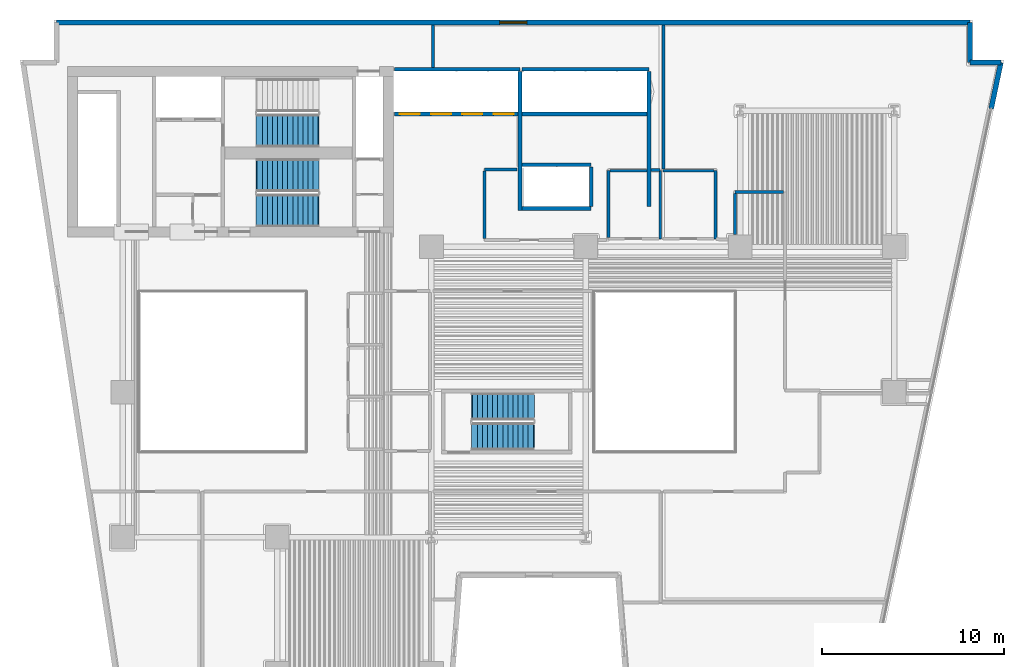
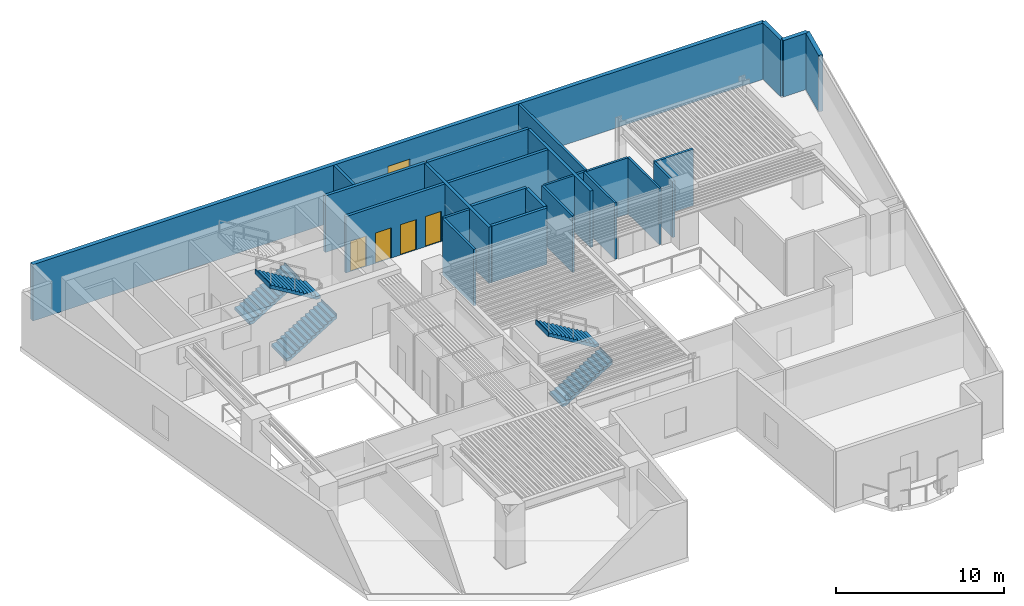
# One storey, part 6 of 11: 25 walls, 5 stair flights, 4 doors, 1 window, 5 openings, 3 elements without a shape of their own.
"""IFC4 building model written with IfcOpenShell, lengths in metres."""

from ifc_helpers import new_model, si_unit, direction, frame, frame_2d, origin, place, context, subcontext, project, spatial, polyline, rectangle, outline, extrude, material, layer, layer_set, type_object, element, fill, aggregate, save


model = new_model("IFC4")

# Units and contexts
model_context = context("Model", 3, precision=1e-05, world=origin(), true_north=direction((0.0, 1.0)))
body_context = subcontext(model_context, "Body", "Model", "MODEL_VIEW")
ifc_project = project(units=[si_unit("LENGTHUNIT", "METRE"), si_unit("AREAUNIT", "SQUARE_METRE"), si_unit("VOLUMEUNIT", "CUBIC_METRE"), si_unit("PLANEANGLEUNIT", "RADIAN"), si_unit("MASSUNIT", "GRAM", prefix="KILO")], contexts=[model_context])

# Site, building, storey
site_placement = place(None, origin())
site = spatial("IfcSite", under=ifc_project, at=site_placement, CompositionType="ELEMENT")
building_placement = place(site_placement, origin())
building = spatial("IfcBuilding", under=site, at=building_placement, Name="Caeloran Harvest Quay", CompositionType="ELEMENT")
storey_placement = place(building_placement, frame((0.0, 0.0, 44.60009765625)))
storey = spatial("IfcBuildingStorey", under=building, at=storey_placement, Name="L10", CompositionType="ELEMENT", Elevation=44.60009765625)

# Wall, opening, window
ifc_material_1 = material(Name="Precast concrete C50/60", Category="concrete")
ifc_layer_1 = layer(ifc_material_1, 0.280029296875, Name="Precast concrete C50/60")
ifc_layer_set_1 = layer_set([ifc_layer_1], Name="Precast concrete C50/60")
wall_type_1 = type_object("IfcWallType", Name="ENV-WALL-EW-280", PredefinedType="STANDARD", material=ifc_layer_set_1)
wall_1_placement = place(storey_placement, frame((4.840087890625, 43.360107421875, 0.0), z_axis=(0.0, 0.0, 1.0), x_axis=(1.0, 0.0, 0.0)))
wall_1 = element("IfcWall", 1, at=wall_1_placement, inside=storey, type_object=wall_type_1, Name="L10 Exterior Precast Concrete Facade Wall 6", PredefinedType="STANDARD", context=body_context, shape_type="SweptSolid", body=[
    extrude(rectangle(XDim=50.31982421875, YDim=0.280029296875, at=frame_2d((25.159912109375, 0.0))), origin(), (0.0, 0.0, 1.0), 4.099853515625),
])
opening_1_placement = place(wall_1_placement, frame((24.409912109375, 0.0, 0.89990234375)))
opening_1 = element("IfcOpeningElement", 2, at=opening_1_placement, cuts=wall_1, Name="Opening W-03", PredefinedType="OPENING", context=body_context, shape_type="SweptSolid", body=[
    extrude(rectangle(XDim=1.5, YDim=1.800048828125, at=frame_2d((0.75, 0.89990234375))), frame((0.0, 0.14990234375, 0.0), z_axis=(0.0, -1.0, 0.0), x_axis=(1.0, 0.0, 0.0)), (0.0, 0.0, 1.0), 0.300048828125),
])
ifc_material_2 = material(Name="Aluminium-Framed Low-E Laminated Glass", Category="aluminium")
window_type = type_object("IfcWindowType", Name="WIN-W-03", PartitioningType="SINGLE_PANEL", PredefinedType="WINDOW", material=ifc_material_2)
window_placement = place(opening_1_placement, origin())
window = element("IfcWindow", 3, at=window_placement, inside=storey, type_object=window_type, Name="L10 Facade Punched Window W-03", OverallHeight=1.800048828125, OverallWidth=1.5, PartitioningType="SINGLE_PANEL", PredefinedType="WINDOW", context=body_context, shape_type="SweptSolid", body=[
    extrude(rectangle(XDim=1.5, YDim=1.800048828125, at=frame_2d((0.75, 0.89990234375))), frame((0.0, 0.030029296875, 0.0), z_axis=(0.0, -1.0, 0.0), x_axis=(1.0, 0.0, 0.0)), (0.0, 0.0, 1.0), 0.06005859375),
])
fill(opening_1, window)

# Walls
wall_2_placement = place(storey_placement, frame((55.159912109375, 43.360107421875, 0.0), z_axis=(0.0, 0.0, 1.0), x_axis=(0.0, -1.0, 0.0)))
element("IfcWall", 4, at=wall_2_placement, inside=storey, type_object=wall_type_1, Name="L10 Exterior Precast Concrete Facade Wall 7", PredefinedType="STANDARD", context=body_context, shape_type="SweptSolid", body=[
    extrude(rectangle(XDim=2.2001953125, YDim=0.280029296875, at=frame_2d((1.10009765625, 0.0))), origin(), (0.0, 0.0, 1.0), 4.099853515625),
])
wall_3_placement = place(storey_placement, frame((55.159912109375, 41.159912109375, 0.0), z_axis=(0.0, 0.0, 1.0), x_axis=(1.0, 0.0, 0.0)))
element("IfcWall", 5, at=wall_3_placement, inside=storey, type_object=wall_type_1, Name="L10 Exterior Precast Concrete Facade Wall 8", PredefinedType="STANDARD", context=body_context, shape_type="SweptSolid", body=[
    extrude(rectangle(XDim=1.705322265625, YDim=0.280029296875, at=frame_2d((0.8525390625, 0.0))), origin(), (0.0, 0.0, 1.0), 4.099853515625),
])
wall_4_placement = place(storey_placement, frame((56.865234375, 41.159912109375, 0.0), z_axis=(0.0, 0.0, 1.0), x_axis=(-0.205551409765, -0.978646319128, 0.0)))
element("IfcWall", 6, at=wall_4_placement, inside=storey, type_object=wall_type_1, Name="L10 Exterior Facade Corner Pier Wall 9A", PredefinedType="STANDARD", context=body_context, shape_type="SweptSolid", body=[
    extrude(rectangle(XDim=2.599853515625, YDim=0.280029296875, at=frame_2d((1.2998046875, 0.0))), origin(), (0.0, 0.0, 1.0), 4.099853515625),
])
ifc_material_3 = material(Name="Autoclaved Aerated Concrete Blockwork and Plasterboard", Category="masonry")
ifc_layer_2 = layer(ifc_material_3, 0.14990234375, Name="Autoclaved Aerated Concrete Blockwork and Plasterboard")
ifc_layer_set_2 = layer_set([ifc_layer_2], Name="Autoclaved Aerated Concrete Blockwork and Plasterboard")
wall_type_2 = type_object("IfcWallType", Name="INT-WALL-PW-150", PredefinedType="PARTITIONING", material=ifc_layer_set_2)
wall_5_placement = place(storey_placement, frame((38.10009765625, 35.199951171875, 0.0), z_axis=(0.0, 0.0, 1.0), x_axis=(0.0, -1.0, 0.0)))
element("IfcWall", 7, at=wall_5_placement, inside=storey, type_object=wall_type_2, Name="L10 Core Telemetry West Room Partition Wall", PredefinedType="PARTITIONING", context=body_context, shape_type="SweptSolid", body=[
    extrude(rectangle(XDim=3.75, YDim=0.14990234375, at=frame_2d((1.875, 0.0))), origin(), (0.0, 0.0, 1.0), 4.099853515625),
])
wall_6_placement = place(storey_placement, frame((35.25, 31.530029296875, 0.0), z_axis=(0.0, 0.0, 1.0), x_axis=(0.0, 1.0, 0.0)))
element("IfcWall", 8, at=wall_6_placement, inside=storey, type_object=wall_type_2, Name="L10 Core Telemetry West Room Partition Wall", PredefinedType="PARTITIONING", context=body_context, shape_type="SweptSolid", body=[
    extrude(rectangle(XDim=3.669921875, YDim=0.14990234375, at=frame_2d((1.8349609375, 0.0))), origin(), (0.0, 0.0, 1.0), 4.099853515625),
])
wall_7_placement = place(storey_placement, frame((35.330078125, 35.199951171875, 0.0), z_axis=(0.0, 0.0, 1.0), x_axis=(1.0, 0.0, 0.0)))
element("IfcWall", 9, at=wall_7_placement, inside=storey, type_object=wall_type_2, Name="L10 Core Telemetry West Room Partition Wall", PredefinedType="PARTITIONING", context=body_context, shape_type="SweptSolid", body=[
    extrude(rectangle(XDim=2.044921875, YDim=0.14990234375, at=frame_2d((1.0224609375, 0.0))), origin(), (0.0, 0.0, 1.0), 4.099853515625),
])
wall_8_placement = place(storey_placement, frame((41.14990234375, 35.199951171875, 0.0), z_axis=(0.0, 0.0, 1.0), x_axis=(0.0, -1.0, 0.0)))
element("IfcWall", 10, at=wall_8_placement, inside=storey, type_object=wall_type_2, Name="L10 Core Metering East Room Partition Wall", PredefinedType="PARTITIONING", context=body_context, shape_type="SweptSolid", body=[
    extrude(rectangle(XDim=3.75, YDim=0.14990234375, at=frame_2d((1.875, 0.0))), origin(), (0.0, 0.0, 1.0), 4.099853515625),
])
wall_9_placement = place(storey_placement, frame((38.25, 35.199951171875, 0.0), z_axis=(0.0, 0.0, 1.0), x_axis=(1.0, 0.0, 0.0)))
element("IfcWall", 11, at=wall_9_placement, inside=storey, type_object=wall_type_2, Name="L10 Core Metering East Room Partition Wall", PredefinedType="PARTITIONING", context=body_context, shape_type="SweptSolid", body=[
    extrude(rectangle(XDim=2.820068359375, YDim=0.14990234375, at=frame_2d((1.41015625, 0.0))), origin(), (0.0, 0.0, 1.0), 4.099853515625),
])
ifc_material_4 = material(Name="Autoclaved Aerated Concrete Blockwork", Category="masonry")
ifc_layer_3 = layer(ifc_material_4, 0.1650390625, Name="Autoclaved Aerated Concrete Blockwork")
ifc_layer_set_3 = layer_set([ifc_layer_3], Name="Autoclaved Aerated Concrete Blockwork")
wall_type_3 = type_object("IfcWallType", Name="INT-WALL-PW-165", PredefinedType="PARTITIONING", material=ifc_layer_set_3)
wall_10_placement = place(storey_placement, frame((38.280029296875, 35.280029296875, 0.0), z_axis=(0.0, 0.0, 1.0), x_axis=(0.0, 1.0, 0.0)))
element("IfcWall", 12, at=wall_10_placement, inside=storey, type_object=wall_type_3, Name="Agronomy Break Kitchen Partition Wall", PredefinedType="PARTITIONING", context=body_context, shape_type="SweptSolid", body=[
    extrude(rectangle(XDim=7.93505859375, YDim=0.1650390625, at=frame_2d((3.967529296875, 0.0))), origin(), (0.0, 0.0, 1.0), 4.099853515625),
])
wall_11_placement = place(storey_placement, frame((44.892578125, 34.030029296875, 0.0), z_axis=(0.0, 0.0, 1.0), x_axis=(-1.0, 0.0, 0.0)))
element("IfcWall", 13, at=wall_11_placement, inside=storey, type_object=wall_type_3, Name="Agronomy Break Kitchen Partition Wall", PredefinedType="PARTITIONING", context=body_context, shape_type="SweptSolid", body=[
    extrude(rectangle(XDim=2.672607421875, YDim=0.1650390625, at=frame_2d((1.33642578125, 0.0))), origin(), (0.0, 0.0, 1.0), 4.099853515625),
])
wall_12_placement = place(storey_placement, frame((42.219970703125, 33.9423828125, 0.0), z_axis=(0.0, 0.0, 1.0), x_axis=(0.0, -1.0, 0.0)))
element("IfcWall", 14, at=wall_12_placement, inside=storey, type_object=wall_type_3, Name="Agronomy Break Kitchen Partition Wall", PredefinedType="PARTITIONING", context=body_context, shape_type="SweptSolid", body=[
    extrude(rectangle(XDim=2.267333984375, YDim=0.1650390625, at=frame_2d((1.1337890625, 0.0))), origin(), (0.0, 0.0, 1.0), 4.099853515625),
])
wall_13_placement = place(storey_placement, frame((28.429931640625, 35.27001953125, 0.0), z_axis=(0.0, 0.0, 1.0), x_axis=(1.0, 0.0, 0.0)))
element("IfcWall", 15, at=wall_13_placement, inside=storey, type_object=wall_type_3, Name="Saffron and Herb Vertical Growing Room 9 Partition Wall", PredefinedType="PARTITIONING", context=body_context, shape_type="SweptSolid", body=[
    extrude(rectangle(XDim=1.7900390625, YDim=0.1650390625, at=frame_2d((0.89501953125, 0.0))), origin(), (0.0, 0.0, 1.0), 4.099853515625),
])
wall_14_placement = place(storey_placement, frame((25.580078125, 40.885009765625, 0.0), z_axis=(0.0, 0.0, 1.0), x_axis=(0.0, 1.0, 0.0)))
element("IfcWall", 16, at=wall_14_placement, inside=storey, type_object=wall_type_3, Name="Saffron and Herb Vertical Growing Room 9 Partition Wall", PredefinedType="PARTITIONING", context=body_context, shape_type="SweptSolid", body=[
    extrude(rectangle(XDim=2.330078125, YDim=0.1650390625, at=frame_2d((1.1650390625, 0.0))), origin(), (0.0, 0.0, 1.0), 4.099853515625),
])
wall_15_placement = place(storey_placement, frame((38.10009765625, 35.22998046875, 0.0), z_axis=(0.0, 0.0, 1.0), x_axis=(-1.0, 0.0, 0.0)))
element("IfcWall", 17, at=wall_15_placement, inside=storey, type_object=wall_type_3, Name="Saffron and Herb Vertical Growing Room 9 Partition Wall", PredefinedType="PARTITIONING", context=body_context, shape_type="SweptSolid", body=[
    extrude(rectangle(XDim=0.51513671875, YDim=0.1650390625, at=frame_2d((0.257568359375, 0.0))), origin(), (0.0, 0.0, 1.0), 4.099853515625),
])
wall_16_placement = place(storey_placement, frame((28.429931640625, 31.467529296875, 0.0), z_axis=(0.0, 0.0, 1.0), x_axis=(0.0, 1.0, 0.0)))
element("IfcWall", 18, at=wall_16_placement, inside=storey, type_object=wall_type_3, Name="Saffron and Herb Vertical Growing Room 9 Partition Wall", PredefinedType="PARTITIONING", context=body_context, shape_type="SweptSolid", body=[
    extrude(rectangle(XDim=3.715087890625, YDim=0.1650390625, at=frame_2d((1.857421875, 0.0))), origin(), (0.0, 0.0, 1.0), 4.099853515625),
])
ifc_material_5 = material(Name="Concrete C50/60", Category="concrete")
ifc_layer_4 = layer(ifc_material_5, 0.199951171875, Name="Concrete C50/60")
ifc_layer_set_4 = layer_set([ifc_layer_4], Name="Concrete C50/60")
wall_type_4 = type_object("IfcWallType", Name="INT-WALL-SW-200", PredefinedType="PARTITIONING", material=ifc_layer_set_4)
wall_17_placement = place(storey_placement, frame((23.469970703125, 40.780029296875, 0.0), z_axis=(0.0, 0.0, 1.0), x_axis=(1.0, 0.0, 0.0)))
element("IfcWall", 19, at=wall_17_placement, inside=storey, type_object=wall_type_4, Name="L10 Bank 1 Lift Shaft North Wall", PredefinedType="PARTITIONING", context=body_context, shape_type="SweptSolid", body=[
    extrude(rectangle(XDim=6.909912109375, YDim=0.199951171875, at=frame_2d((3.455078125, 0.0))), origin(), (0.0, 0.0, 1.0), 4.099853515625),
])
wall_18_placement = place(storey_placement, frame((30.3798828125, 33.02001953125, 0.0), z_axis=(0.0, 0.0, 1.0), x_axis=(0.0, 1.0, 0.0)))
element("IfcWall", 20, at=wall_18_placement, inside=storey, type_object=wall_type_4, Name="L10 Bank 1 Lift Shaft East Wall", PredefinedType="PARTITIONING", context=body_context, shape_type="SweptSolid", body=[
    extrude(rectangle(XDim=7.639892578125, YDim=0.199951171875, at=frame_2d((3.81982421875, 0.0))), origin(), (0.0, 0.0, 1.0), 4.099853515625),
])

# Wall, openings, doors
wall_19_placement = place(storey_placement, frame((23.469970703125, 38.320068359375, 0.0), z_axis=(0.0, 0.0, 1.0), x_axis=(1.0, 0.0, 0.0)))
wall_19 = element("IfcWall", 21, at=wall_19_placement, inside=storey, type_object=wall_type_4, Name="L10 Bank 1 Lift Landing Front Wall", PredefinedType="PARTITIONING", context=body_context, shape_type="SweptSolid", body=[
    extrude(rectangle(XDim=6.7900390625, YDim=0.199951171875, at=frame_2d((3.39501953125, 0.0))), origin(), (0.0, 0.0, 1.0), 4.099853515625),
])
opening_2_placement = place(wall_19_placement, frame((0.2900390625, 0.0, 0.0)))
opening_2 = element("IfcOpeningElement", 22, at=opening_2_placement, cuts=wall_19, Name="Opening LD-01", PredefinedType="OPENING", context=body_context, shape_type="SweptSolid", body=[
    extrude(rectangle(XDim=1.10009765625, YDim=2.199951171875, at=frame_2d((0.550048828125, 1.10009765625))), frame((0.0, 0.10986328125, 0.0), z_axis=(0.0, -1.0, 0.0), x_axis=(1.0, 0.0, 0.0)), (0.0, 0.0, 1.0), 0.219970703125),
])
opening_3_placement = place(wall_19_placement, frame((2.010009765625, 0.0, 0.0)))
opening_3 = element("IfcOpeningElement", 23, at=opening_3_placement, cuts=wall_19, Name="Opening LD-01", PredefinedType="OPENING", context=body_context, shape_type="SweptSolid", body=[
    extrude(rectangle(XDim=1.10009765625, YDim=2.199951171875, at=frame_2d((0.550048828125, 1.10009765625))), frame((0.0, 0.10986328125, 0.0), z_axis=(0.0, -1.0, 0.0), x_axis=(1.0, 0.0, 0.0)), (0.0, 0.0, 1.0), 0.219970703125),
])
opening_4_placement = place(wall_19_placement, frame((3.72998046875, 0.0, 0.0)))
opening_4 = element("IfcOpeningElement", 24, at=opening_4_placement, cuts=wall_19, Name="Opening LD-01", PredefinedType="OPENING", context=body_context, shape_type="SweptSolid", body=[
    extrude(rectangle(XDim=1.10009765625, YDim=2.199951171875, at=frame_2d((0.550048828125, 1.10009765625))), frame((0.0, 0.10986328125, 0.0), z_axis=(0.0, -1.0, 0.0), x_axis=(1.0, 0.0, 0.0)), (0.0, 0.0, 1.0), 0.219970703125),
])
opening_5_placement = place(wall_19_placement, frame((5.449951171875, 0.0, 0.0)))
opening_5 = element("IfcOpeningElement", 25, at=opening_5_placement, cuts=wall_19, Name="Opening LD-01", PredefinedType="OPENING", context=body_context, shape_type="SweptSolid", body=[
    extrude(rectangle(XDim=1.10009765625, YDim=2.199951171875, at=frame_2d((0.550048828125, 1.10009765625))), frame((0.0, 0.10986328125, 0.0), z_axis=(0.0, -1.0, 0.0), x_axis=(1.0, 0.0, 0.0)), (0.0, 0.0, 1.0), 0.219970703125),
])
ifc_material_6 = material(Name="Stainless Steel Grade 316", Category="steel")
door_type = type_object("IfcDoorType", Name="INTDOOR-LD-01", OperationType="NOTDEFINED", PredefinedType="DOOR", material=ifc_material_6)
door_1_placement = place(opening_2_placement, origin())
door_1 = element("IfcDoor", 26, at=door_1_placement, inside=storey, type_object=door_type, Name="Lift P1-1 Sliding Landing Door (L10)", OperationType="DOUBLE_DOOR_SLIDING", OverallHeight=2.199951171875, OverallWidth=1.10009765625, PredefinedType="DOOR", context=body_context, shape_type="SweptSolid", body=[
    extrude(rectangle(XDim=1.10009765625, YDim=2.199951171875, at=frame_2d((0.550048828125, 1.10009765625))), frame((0.0, 0.02490234375, 0.0), z_axis=(0.0, -1.0, 0.0), x_axis=(1.0, 0.0, 0.0)), (0.0, 0.0, 1.0), 0.050048828125),
])
fill(opening_2, door_1)
door_2_placement = place(opening_3_placement, origin())
door_2 = element("IfcDoor", 27, at=door_2_placement, inside=storey, type_object=door_type, Name="Lift P1-2 Sliding Landing Door (L10)", OperationType="DOUBLE_DOOR_SLIDING", OverallHeight=2.199951171875, OverallWidth=1.10009765625, PredefinedType="DOOR", context=body_context, shape_type="SweptSolid", body=[
    extrude(rectangle(XDim=1.10009765625, YDim=2.199951171875, at=frame_2d((0.550048828125, 1.10009765625))), frame((0.0, 0.02490234375, 0.0), z_axis=(0.0, -1.0, 0.0), x_axis=(1.0, 0.0, 0.0)), (0.0, 0.0, 1.0), 0.050048828125),
])
fill(opening_3, door_2)
door_3_placement = place(opening_4_placement, origin())
door_3 = element("IfcDoor", 28, at=door_3_placement, inside=storey, type_object=door_type, Name="Lift P1-3 Sliding Landing Door (L10)", OperationType="DOUBLE_DOOR_SLIDING", OverallHeight=2.199951171875, OverallWidth=1.10009765625, PredefinedType="DOOR", context=body_context, shape_type="SweptSolid", body=[
    extrude(rectangle(XDim=1.10009765625, YDim=2.199951171875, at=frame_2d((0.550048828125, 1.10009765625))), frame((0.0, 0.02490234375, 0.0), z_axis=(0.0, -1.0, 0.0), x_axis=(1.0, 0.0, 0.0)), (0.0, 0.0, 1.0), 0.050048828125),
])
fill(opening_4, door_3)
door_4_placement = place(opening_5_placement, origin())
door_4 = element("IfcDoor", 29, at=door_4_placement, inside=storey, type_object=door_type, Name="Lift P1-4 Sliding Landing Door (L10)", OperationType="DOUBLE_DOOR_SLIDING", OverallHeight=2.199951171875, OverallWidth=1.10009765625, PredefinedType="DOOR", context=body_context, shape_type="SweptSolid", body=[
    extrude(rectangle(XDim=1.10009765625, YDim=2.199951171875, at=frame_2d((0.550048828125, 1.10009765625))), frame((0.0, 0.02490234375, 0.0), z_axis=(0.0, -1.0, 0.0), x_axis=(1.0, 0.0, 0.0)), (0.0, 0.0, 1.0), 0.050048828125),
])
fill(opening_5, door_4)

# Walls
wall_20_placement = place(storey_placement, frame((30.5, 40.780029296875, 0.0), z_axis=(0.0, 0.0, 1.0), x_axis=(1.0, 0.0, 0.0)))
element("IfcWall", 30, at=wall_20_placement, inside=storey, type_object=wall_type_4, Name="L10 Bank 2 Lift Shaft North Wall", PredefinedType="PARTITIONING", context=body_context, shape_type="SweptSolid", body=[
    extrude(rectangle(XDim=6.97998046875, YDim=0.199951171875, at=frame_2d((3.489990234375, 0.0))), origin(), (0.0, 0.0, 1.0), 4.099853515625),
])
wall_21_placement = place(storey_placement, frame((37.47998046875, 33.239990234375, 0.0), z_axis=(0.0, 0.0, 1.0), x_axis=(0.0, 1.0, 0.0)))
element("IfcWall", 31, at=wall_21_placement, inside=storey, type_object=wall_type_4, Name="L10 Bank 2 Lift Shaft East Wall", PredefinedType="PARTITIONING", context=body_context, shape_type="SweptSolid", body=[
    extrude(rectangle(XDim=7.419921875, YDim=0.199951171875, at=frame_2d((3.7099609375, 0.0))), origin(), (0.0, 0.0, 1.0), 4.099853515625),
])
wall_22_placement = place(storey_placement, frame((30.5, 38.320068359375, 0.0), z_axis=(0.0, 0.0, 1.0), x_axis=(1.0, 0.0, 0.0)))
element("IfcWall", 32, at=wall_22_placement, inside=storey, type_object=wall_type_4, Name="L10 Bank 2 Lift Landing Front Wall", PredefinedType="PARTITIONING", context=body_context, shape_type="SweptSolid", body=[
    extrude(rectangle(XDim=6.860107421875, YDim=0.199951171875, at=frame_2d((3.43017578125, 0.0))), origin(), (0.0, 0.0, 1.0), 4.099853515625),
])
for number, where, z_axis, x_axis, name in (
    (33, (30.5, 35.530029296875, 0.0), (0.0, 0.0, 1.0), (1.0, 0.0, 0.0), "L10 Shuttle Lift Landing Front Wall"),
    (34, (30.5, 33.1201171875, 0.0), (0.0, 0.0, 1.0), (1.0, 0.0, 0.0), "L10 Shuttle Lift Shaft South Wall"),
):
    element("IfcWall", number, at=place(storey_placement, frame(where, z_axis=z_axis, x_axis=x_axis)), inside=storey, type_object=wall_type_4, Name=name, PredefinedType="PARTITIONING", context=body_context, shape_type="SweptSolid", body=[
        extrude(rectangle(XDim=3.800048828125, YDim=0.199951171875, at=frame_2d((1.89990234375, 0.0))), origin(), (0.0, 0.0, 1.0), 4.099853515625),
    ])
wall_23_placement = place(storey_placement, frame((34.300048828125, 33.239990234375, 0.0), z_axis=(0.0, 0.0, 1.0), x_axis=(0.0, 1.0, 0.0)))
element("IfcWall", 35, at=wall_23_placement, inside=storey, type_object=wall_type_4, Name="L10 Shuttle Lift Shaft East Wall", PredefinedType="PARTITIONING", context=body_context, shape_type="SweptSolid", body=[
    extrude(rectangle(XDim=2.169921875, YDim=0.199951171875, at=frame_2d((1.0849609375, 0.0))), origin(), (0.0, 0.0, 1.0), 4.099853515625),
])

# Stair, stair flight
stair_type_1 = type_object("IfcStairType", Name="STAIR-STC-180", PredefinedType="HALF_TURN_STAIR", material=ifc_material_5)
stair_1_placement = place(storey_placement, origin())
stair_1 = element("IfcStair", 36, at=stair_1_placement, inside=storey, type_object=stair_type_1, Name="L10 Core Pressurized Exit Stair ST-C1", PredefinedType="HALF_TURN_STAIR")
stair_flight_type_1 = type_object("IfcStairFlightType", Name="FLIGHT-STC-180", PredefinedType="STRAIGHT", material=ifc_material_5)
stair_flight_1_placement = place(storey_placement, frame((15.89990234375, 37.39990234375, 0.0), z_axis=(0.0, 0.0, 1.0), x_axis=(1.0, 0.0, 0.0)))
stair_flight_1 = element("IfcStairFlight", 37, at=stair_flight_1_placement, type_object=stair_flight_type_1, Name="ST-C1 flight 1", NumberOfRisers=13, NumberOfTreads=12, PredefinedType="STRAIGHT", RiserHeight=0.169230769, TreadLength=0.28, context=body_context, shape_type="SweptSolid", body=[
    extrude(outline(polyline([(-0.054931640625, -0.044921875), (-0.054931640625, -0.031494140625), (-0.054931640625, -0.018310546875), (-0.054931640625, -0.0048828125), (-0.054931640625, 0.008544921875), (-0.054931640625, 0.02197265625), (-0.054931640625, 0.035400390625), (-0.054931640625, 0.048828125), (-0.054931640625, 0.06201171875), (-0.054931640625, 0.075439453125), (-0.054931640625, 0.0888671875), (-0.054931640625, 0.102294921875), (-0.054931640625, 0.11572265625), (-0.054931640625, 0.129150390625), (-0.054931640625, 0.142333984375), (-0.054931640625, 0.15576171875), (-0.054931640625, 0.169189453125), (0.280029296875, 0.169189453125), (0.280029296875, 0.33837890625), (0.56005859375, 0.33837890625), (0.56005859375, 0.5078125), (0.840087890625, 0.5078125), (0.840087890625, 0.677001953125), (1.1201171875, 0.677001953125), (1.1201171875, 0.84619140625), (1.39990234375, 0.84619140625), (1.39990234375, 1.015380859375), (1.679931640625, 1.015380859375), (1.679931640625, 1.1845703125), (1.9599609375, 1.1845703125), (1.9599609375, 1.353759765625), (2.239990234375, 1.353759765625), (2.239990234375, 1.523193359375), (2.52001953125, 1.523193359375), (2.52001953125, 1.6923828125), (2.800048828125, 1.6923828125), (2.800048828125, 1.861572265625), (3.080078125, 1.861572265625), (3.080078125, 2.03076171875), (3.360107421875, 2.03076171875), (3.360107421875, 2.199951171875), (3.4150390625, 2.199951171875), (3.4150390625, 2.178466796875), (3.4150390625, 2.156982421875), (3.4150390625, 2.135498046875), (3.4150390625, 2.114013671875), (3.4150390625, 2.09228515625), (3.4150390625, 2.07080078125), (3.4150390625, 2.04931640625), (3.4150390625, 2.02783203125), (3.4150390625, 2.00634765625), (3.4150390625, 1.98486328125), (3.4150390625, 1.963134765625), (3.4150390625, 1.941650390625), (3.4150390625, 1.920166015625), (3.4150390625, 1.898681640625), (3.4150390625, 1.877197265625), (3.4150390625, 1.855712890625), (3.360107421875, 1.855712890625), (0.21533203125, -0.044921875), (-0.054931640625, -0.044921875)])), frame((0.0, 0.89990234375, 0.0), z_axis=(0.0, -1.0, 0.0), x_axis=(1.0, 0.0, 0.0)), (0.0, 0.0, 1.0), 1.800048828125),
])
aggregate(stair_1, [stair_flight_1])

# Stair, stair flights
stair_2_placement = place(storey_placement, origin())
stair_2 = element("IfcStair", 38, at=stair_2_placement, inside=storey, type_object=stair_type_1, Name="L10 Core Pressurized Exit Stair ST-C2", PredefinedType="HALF_TURN_STAIR")
stair_flight_2_placement = place(storey_placement, frame((15.89990234375, 33.0, 0.0), z_axis=(0.0, 0.0, 1.0), x_axis=(1.0, 0.0, 0.0)))
stair_flight_2 = element("IfcStairFlight", 39, at=stair_flight_2_placement, type_object=stair_flight_type_1, Name="ST-C2 flight 1", NumberOfRisers=13, NumberOfTreads=12, PredefinedType="STRAIGHT", RiserHeight=0.169230769, TreadLength=0.28, context=body_context, shape_type="SweptSolid", body=[
    extrude(outline(polyline([(-0.054931640625, -0.044921875), (-0.054931640625, -0.031494140625), (-0.054931640625, -0.018310546875), (-0.054931640625, -0.0048828125), (-0.054931640625, 0.008544921875), (-0.054931640625, 0.02197265625), (-0.054931640625, 0.035400390625), (-0.054931640625, 0.048828125), (-0.054931640625, 0.06201171875), (-0.054931640625, 0.075439453125), (-0.054931640625, 0.0888671875), (-0.054931640625, 0.102294921875), (-0.054931640625, 0.11572265625), (-0.054931640625, 0.129150390625), (-0.054931640625, 0.142333984375), (-0.054931640625, 0.15576171875), (-0.054931640625, 0.169189453125), (0.280029296875, 0.169189453125), (0.280029296875, 0.33837890625), (0.56005859375, 0.33837890625), (0.56005859375, 0.5078125), (0.840087890625, 0.5078125), (0.840087890625, 0.677001953125), (1.1201171875, 0.677001953125), (1.1201171875, 0.84619140625), (1.39990234375, 0.84619140625), (1.39990234375, 1.015380859375), (1.679931640625, 1.015380859375), (1.679931640625, 1.1845703125), (1.9599609375, 1.1845703125), (1.9599609375, 1.353759765625), (2.239990234375, 1.353759765625), (2.239990234375, 1.523193359375), (2.52001953125, 1.523193359375), (2.52001953125, 1.6923828125), (2.800048828125, 1.6923828125), (2.800048828125, 1.861572265625), (3.080078125, 1.861572265625), (3.080078125, 2.03076171875), (3.360107421875, 2.03076171875), (3.360107421875, 2.199951171875), (3.4150390625, 2.199951171875), (3.4150390625, 2.178466796875), (3.4150390625, 2.156982421875), (3.4150390625, 2.135498046875), (3.4150390625, 2.114013671875), (3.4150390625, 2.09228515625), (3.4150390625, 2.07080078125), (3.4150390625, 2.04931640625), (3.4150390625, 2.02783203125), (3.4150390625, 2.00634765625), (3.4150390625, 1.98486328125), (3.4150390625, 1.963134765625), (3.4150390625, 1.941650390625), (3.4150390625, 1.920166015625), (3.4150390625, 1.898681640625), (3.4150390625, 1.877197265625), (3.4150390625, 1.855712890625), (3.360107421875, 1.855712890625), (0.21533203125, -0.044921875), (-0.054931640625, -0.044921875)])), frame((0.0, 0.89990234375, 0.0), z_axis=(0.0, -1.0, 0.0), x_axis=(1.0, 0.0, 0.0)), (0.0, 0.0, 1.0), 1.800048828125),
])
stair_flight_3_placement = place(storey_placement, frame((19.260009765625, 34.949951171875, 2.199951171875), z_axis=(0.0, 0.0, 1.0), x_axis=(-1.0, 0.0, 0.0)))
stair_flight_3 = element("IfcStairFlight", 40, at=stair_flight_3_placement, type_object=stair_flight_type_1, Name="ST-C2 flight 2", NumberOfRisers=13, NumberOfTreads=12, PredefinedType="STRAIGHT", RiserHeight=0.169230769, TreadLength=0.28, context=body_context, shape_type="SweptSolid", body=[
    extrude(outline(polyline([(-0.054931640625, -0.044921875), (-0.054931640625, -0.031494140625), (-0.054931640625, -0.018310546875), (-0.054931640625, -0.0048828125), (-0.054931640625, 0.008544921875), (-0.054931640625, 0.02197265625), (-0.054931640625, 0.035400390625), (-0.054931640625, 0.048828125), (-0.054931640625, 0.06201171875), (-0.054931640625, 0.075439453125), (-0.054931640625, 0.0888671875), (-0.054931640625, 0.102294921875), (-0.054931640625, 0.11572265625), (-0.054931640625, 0.129150390625), (-0.054931640625, 0.142333984375), (-0.054931640625, 0.15576171875), (-0.054931640625, 0.169189453125), (0.280029296875, 0.169189453125), (0.280029296875, 0.33837890625), (0.56005859375, 0.33837890625), (0.56005859375, 0.5078125), (0.840087890625, 0.5078125), (0.840087890625, 0.677001953125), (1.1201171875, 0.677001953125), (1.1201171875, 0.84619140625), (1.39990234375, 0.84619140625), (1.39990234375, 1.015380859375), (1.679931640625, 1.015380859375), (1.679931640625, 1.1845703125), (1.9599609375, 1.1845703125), (1.9599609375, 1.353759765625), (2.239990234375, 1.353759765625), (2.239990234375, 1.523193359375), (2.52001953125, 1.523193359375), (2.52001953125, 1.6923828125), (2.800048828125, 1.6923828125), (2.800048828125, 1.861572265625), (3.080078125, 1.861572265625), (3.080078125, 2.03076171875), (3.360107421875, 2.03076171875), (3.360107421875, 2.199951171875), (3.4150390625, 2.199951171875), (3.4150390625, 2.178466796875), (3.4150390625, 2.156982421875), (3.4150390625, 2.135498046875), (3.4150390625, 2.114013671875), (3.4150390625, 2.09228515625), (3.4150390625, 2.07080078125), (3.4150390625, 2.04931640625), (3.4150390625, 2.02783203125), (3.4150390625, 2.00634765625), (3.4150390625, 1.98486328125), (3.4150390625, 1.963134765625), (3.4150390625, 1.941650390625), (3.4150390625, 1.920166015625), (3.4150390625, 1.898681640625), (3.4150390625, 1.877197265625), (3.4150390625, 1.855712890625), (3.360107421875, 1.855712890625), (0.21533203125, -0.044921875), (-0.054931640625, -0.044921875)])), frame((0.0, 0.89990234375, 0.0), z_axis=(0.0, -1.0, 0.0), x_axis=(1.0, 0.0, 0.0)), (0.0, 0.0, 1.0), 1.800048828125),
])
aggregate(stair_2, [stair_flight_2, stair_flight_3])

stair_type_2 = type_object("IfcStairType", Name="STAIR-STW-150", PredefinedType="HALF_TURN_STAIR", material=ifc_material_5)
stair_3_placement = place(storey_placement, origin())
stair_3 = element("IfcStair", 41, at=stair_3_placement, inside=storey, type_object=stair_type_2, Name="L10 East Wing Protected Exit Stair ST-W1", PredefinedType="HALF_TURN_STAIR")
stair_flight_type_2 = type_object("IfcStairFlightType", Name="FLIGHT-STW-150", PredefinedType="STRAIGHT", material=ifc_material_5)
stair_flight_4_placement = place(storey_placement, frame((27.75, 20.550048828125, 0.0), z_axis=(0.0, 0.0, 1.0), x_axis=(1.0, 0.0, 0.0)))
stair_flight_4 = element("IfcStairFlight", 42, at=stair_flight_4_placement, type_object=stair_flight_type_2, Name="ST-W1 flight 1", NumberOfRisers=13, NumberOfTreads=12, PredefinedType="STRAIGHT", RiserHeight=0.169230769, TreadLength=0.28, context=body_context, shape_type="SweptSolid", body=[
    extrude(outline(polyline([(-0.054931640625, -0.044921875), (-0.054931640625, -0.031494140625), (-0.054931640625, -0.018310546875), (-0.054931640625, -0.0048828125), (-0.054931640625, 0.008544921875), (-0.054931640625, 0.02197265625), (-0.054931640625, 0.035400390625), (-0.054931640625, 0.048828125), (-0.054931640625, 0.06201171875), (-0.054931640625, 0.075439453125), (-0.054931640625, 0.0888671875), (-0.054931640625, 0.102294921875), (-0.054931640625, 0.11572265625), (-0.054931640625, 0.129150390625), (-0.054931640625, 0.142333984375), (-0.054931640625, 0.15576171875), (-0.054931640625, 0.169189453125), (0.280029296875, 0.169189453125), (0.280029296875, 0.33837890625), (0.56005859375, 0.33837890625), (0.56005859375, 0.5078125), (0.840087890625, 0.5078125), (0.840087890625, 0.677001953125), (1.1201171875, 0.677001953125), (1.1201171875, 0.84619140625), (1.39990234375, 0.84619140625), (1.39990234375, 1.015380859375), (1.679931640625, 1.015380859375), (1.679931640625, 1.1845703125), (1.9599609375, 1.1845703125), (1.9599609375, 1.353759765625), (2.239990234375, 1.353759765625), (2.239990234375, 1.523193359375), (2.52001953125, 1.523193359375), (2.52001953125, 1.6923828125), (2.800048828125, 1.6923828125), (2.800048828125, 1.861572265625), (3.080078125, 1.861572265625), (3.080078125, 2.03076171875), (3.360107421875, 2.03076171875), (3.360107421875, 2.199951171875), (3.4150390625, 2.199951171875), (3.4150390625, 2.178466796875), (3.4150390625, 2.156982421875), (3.4150390625, 2.135498046875), (3.4150390625, 2.114013671875), (3.4150390625, 2.09228515625), (3.4150390625, 2.07080078125), (3.4150390625, 2.04931640625), (3.4150390625, 2.02783203125), (3.4150390625, 2.00634765625), (3.4150390625, 1.98486328125), (3.4150390625, 1.963134765625), (3.4150390625, 1.941650390625), (3.4150390625, 1.920166015625), (3.4150390625, 1.898681640625), (3.4150390625, 1.877197265625), (3.4150390625, 1.855712890625), (3.360107421875, 1.855712890625), (0.21533203125, -0.044921875), (-0.054931640625, -0.044921875)])), frame((0.0, 0.75, 0.0), z_axis=(0.0, -1.0, 0.0), x_axis=(1.0, 0.0, 0.0)), (0.0, 0.0, 1.0), 1.5),
])
stair_flight_5_placement = place(storey_placement, frame((31.110107421875, 22.199951171875, 2.199951171875), z_axis=(0.0, 0.0, 1.0), x_axis=(-1.0, 0.0, 0.0)))
stair_flight_5 = element("IfcStairFlight", 43, at=stair_flight_5_placement, type_object=stair_flight_type_2, Name="ST-W1 flight 2", NumberOfRisers=13, NumberOfTreads=12, PredefinedType="STRAIGHT", RiserHeight=0.169230769, TreadLength=0.28, context=body_context, shape_type="SweptSolid", body=[
    extrude(outline(polyline([(-0.054931640625, -0.044921875), (-0.054931640625, -0.031494140625), (-0.054931640625, -0.018310546875), (-0.054931640625, -0.0048828125), (-0.054931640625, 0.008544921875), (-0.054931640625, 0.02197265625), (-0.054931640625, 0.035400390625), (-0.054931640625, 0.048828125), (-0.054931640625, 0.06201171875), (-0.054931640625, 0.075439453125), (-0.054931640625, 0.0888671875), (-0.054931640625, 0.102294921875), (-0.054931640625, 0.11572265625), (-0.054931640625, 0.129150390625), (-0.054931640625, 0.142333984375), (-0.054931640625, 0.15576171875), (-0.054931640625, 0.169189453125), (0.280029296875, 0.169189453125), (0.280029296875, 0.33837890625), (0.56005859375, 0.33837890625), (0.56005859375, 0.5078125), (0.840087890625, 0.5078125), (0.840087890625, 0.677001953125), (1.1201171875, 0.677001953125), (1.1201171875, 0.84619140625), (1.39990234375, 0.84619140625), (1.39990234375, 1.015380859375), (1.679931640625, 1.015380859375), (1.679931640625, 1.1845703125), (1.9599609375, 1.1845703125), (1.9599609375, 1.353759765625), (2.239990234375, 1.353759765625), (2.239990234375, 1.523193359375), (2.52001953125, 1.523193359375), (2.52001953125, 1.6923828125), (2.800048828125, 1.6923828125), (2.800048828125, 1.861572265625), (3.080078125, 1.861572265625), (3.080078125, 2.03076171875), (3.360107421875, 2.03076171875), (3.360107421875, 2.199951171875), (3.4150390625, 2.199951171875), (3.4150390625, 2.178466796875), (3.4150390625, 2.156982421875), (3.4150390625, 2.135498046875), (3.4150390625, 2.114013671875), (3.4150390625, 2.09228515625), (3.4150390625, 2.07080078125), (3.4150390625, 2.04931640625), (3.4150390625, 2.02783203125), (3.4150390625, 2.00634765625), (3.4150390625, 1.98486328125), (3.4150390625, 1.963134765625), (3.4150390625, 1.941650390625), (3.4150390625, 1.920166015625), (3.4150390625, 1.898681640625), (3.4150390625, 1.877197265625), (3.4150390625, 1.855712890625), (3.360107421875, 1.855712890625), (0.21533203125, -0.044921875), (-0.054931640625, -0.044921875)])), frame((0.0, 0.75, 0.0), z_axis=(0.0, -1.0, 0.0), x_axis=(1.0, 0.0, 0.0)), (0.0, 0.0, 1.0), 1.5),
])
aggregate(stair_3, [stair_flight_4, stair_flight_5])

save(model, "model.ifc")
